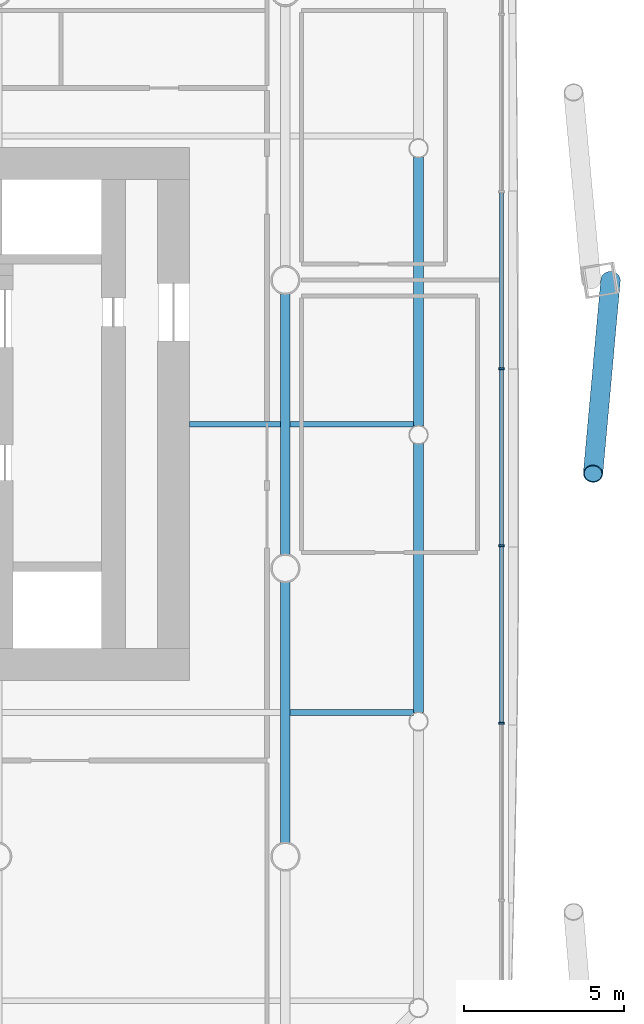
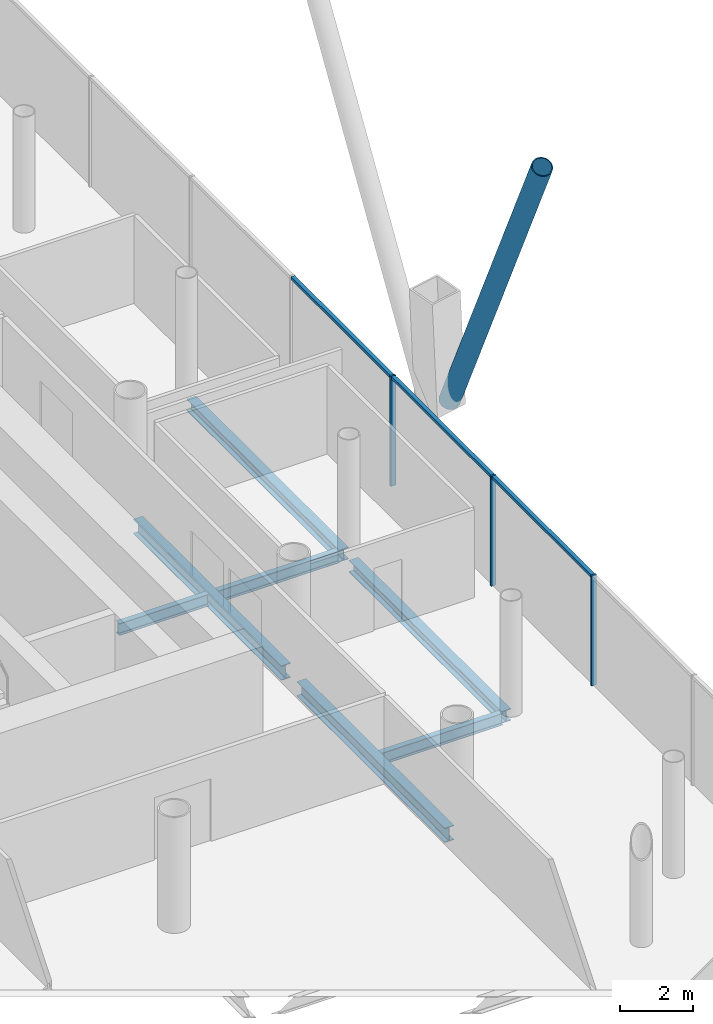
# One storey, part 8 of 25: 7 beams, 7 members, 1 element without a shape of its own.
"""IFC4 building model written with IfcOpenShell, lengths in metres."""

from ifc_helpers import new_model, si_unit, direction, frame, origin, origin_2d, place, context, subcontext, project, spatial, rectangle, hollow_circle, i_section, extrude, material, material_profile, profile_set, type_object, element, aggregate, save


model = new_model("IFC4")

# Units and contexts
model_context = context("Model", 3, precision=1e-05, world=origin(), true_north=direction((0.0, 1.0)))
body_context = subcontext(model_context, "Body", "Model", "MODEL_VIEW")
ifc_project = project(units=[si_unit("LENGTHUNIT", "METRE"), si_unit("AREAUNIT", "SQUARE_METRE"), si_unit("VOLUMEUNIT", "CUBIC_METRE"), si_unit("PLANEANGLEUNIT", "RADIAN"), si_unit("MASSUNIT", "GRAM", prefix="KILO")], contexts=[model_context])

# Site, building, storey
site_placement = place(None, origin())
site = spatial("IfcSite", under=ifc_project, at=site_placement, CompositionType="ELEMENT")
building_placement = place(site_placement, origin())
building = spatial("IfcBuilding", under=site, at=building_placement, Name="Tskaro Facet Tower", CompositionType="ELEMENT")
storey_placement = place(building_placement, frame((0.0, 0.0, 10.800048828125)))
storey = spatial("IfcBuildingStorey", under=building, at=storey_placement, Name="L01", CompositionType="ELEMENT", Elevation=10.800048828125)

# Member
ifc_material_1 = material(Name="Steel S355J2H", Category="steel")
ifc_material_profile_1 = material_profile(ifc_material_1, hollow_circle(Radius=0.304931640625, WallThickness=0.030029296875, at=origin_2d()), Name="CHS 610x30")
ifc_profile_set_1 = profile_set([ifc_material_profile_1], Name="Steel S355J2H")
member_type_1 = type_object("IfcMemberType", Name="CHS 610x30 brace", PredefinedType="BRACE", material=ifc_profile_set_1)
member_1_placement = place(storey_placement, frame((28.155029296875, 0.0, 0.0), z_axis=(-0.041564771349, -0.458620204365, 0.887659776001), x_axis=(0.995918225195, -0.090260117017, 0.0)))
element("IfcMember", 1, at=member_1_placement, inside=storey, type_object=member_type_1, Name="CHS 610x30 XB04B/1", PredefinedType="BRACE", context=body_context, shape_type="SweptSolid", body=[
    extrude(hollow_circle(Radius=0.304931640625, WallThickness=0.030029296875, at=origin_2d()), origin(), (0.0, 0.0, 1.0), 13.1806640625),
])

# Curtain wall, members
ifc_material_2 = material(Name="Bronze anodised aluminium 6063-T6", Category="aluminium")
curtain_wall_type = type_object("IfcCurtainWallType", Name="Bronze office curtain wall (FW1)", PredefinedType="NOTDEFINED", material=ifc_material_2)
curtain_wall_placement = place(storey_placement, origin())
curtain_wall = element("IfcCurtainWall", 2, at=curtain_wall_placement, inside=storey, type_object=curtain_wall_type, Name="FW1 east facet L01", PredefinedType="NOTDEFINED")
ifc_material_profile_2 = material_profile(ifc_material_2, rectangle(XDim=0.06005859375, YDim=0.159912109375, at=origin_2d()), Name="Mullion 60x160")
ifc_profile_set_2 = profile_set([ifc_material_profile_2], Name="Bronze anodised aluminium 6063-T6")
member_type_2 = type_object("IfcMemberType", Name="FW1 bronze mullion 60x160", PredefinedType="MULLION", material=ifc_profile_set_2)
member_2_placement = place(storey_placement, frame((24.75, -13.8310546875, 0.0), z_axis=(0.0, 0.0, 1.0), x_axis=(0.0, 1.0, 0.0)))
member_2 = element("IfcMember", 3, at=member_2_placement, type_object=member_type_2, Name="FW1 east mullion 2", PredefinedType="MULLION", context=body_context, shape_type="SweptSolid", body=[
    extrude(rectangle(XDim=0.06005859375, YDim=0.159912109375, at=origin_2d()), origin(), (0.0, 0.0, 1.0), 3.699951171875),
])
member_3_placement = place(storey_placement, frame((24.75, -8.298583984375, 0.0), z_axis=(0.0, 0.0, 1.0), x_axis=(0.0, 1.0, 0.0)))
member_3 = element("IfcMember", 4, at=member_3_placement, type_object=member_type_2, Name="FW1 east mullion 3", PredefinedType="MULLION", context=body_context, shape_type="SweptSolid", body=[
    extrude(rectangle(XDim=0.06005859375, YDim=0.159912109375, at=origin_2d()), origin(), (0.0, 0.0, 1.0), 3.699951171875),
])
member_4_placement = place(storey_placement, frame((24.75, -2.76611328125, 0.0), z_axis=(0.0, 0.0, 1.0), x_axis=(0.0, 1.0, 0.0)))
member_4 = element("IfcMember", 5, at=member_4_placement, type_object=member_type_2, Name="FW1 east mullion 4", PredefinedType="MULLION", context=body_context, shape_type="SweptSolid", body=[
    extrude(rectangle(XDim=0.06005859375, YDim=0.159912109375, at=origin_2d()), origin(), (0.0, 0.0, 1.0), 3.699951171875),
])
ifc_material_profile_3 = material_profile(ifc_material_2, rectangle(XDim=0.1201171875, YDim=0.10009765625, at=origin_2d()), Name="Transom 120x100")
ifc_profile_set_3 = profile_set([ifc_material_profile_3], Name="Bronze anodised aluminium 6063-T6")
member_type_3 = type_object("IfcMemberType", Name="FW1 bronze transom 120x100", PredefinedType="USERDEFINED", material=ifc_profile_set_3)
member_5_placement = place(storey_placement, frame((24.75, -13.801025390625, 3.64990234375), z_axis=(0.0, 1.0, 0.0), x_axis=(-1.0, 0.0, 0.0)))
member_5 = element("IfcMember", 6, at=member_5_placement, type_object=member_type_3, Name="FW1 east transom 3.1", ObjectType="TRANSOM", PredefinedType="USERDEFINED", context=body_context, shape_type="SweptSolid", body=[
    extrude(rectangle(XDim=0.1201171875, YDim=0.10009765625, at=origin_2d()), origin(), (0.0, 0.0, 1.0), 5.472412109375),
])
member_6_placement = place(storey_placement, frame((24.75, -8.2685546875, 3.64990234375), z_axis=(0.0, 1.0, 0.0), x_axis=(-1.0, 0.0, 0.0)))
member_6 = element("IfcMember", 7, at=member_6_placement, type_object=member_type_3, Name="FW1 east transom 4.1", ObjectType="TRANSOM", PredefinedType="USERDEFINED", context=body_context, shape_type="SweptSolid", body=[
    extrude(rectangle(XDim=0.1201171875, YDim=0.10009765625, at=origin_2d()), origin(), (0.0, 0.0, 1.0), 5.472412109375),
])
member_7_placement = place(storey_placement, frame((24.75, -2.736328125, 3.64990234375), z_axis=(0.0, 1.0, 0.0), x_axis=(-1.0, 0.0, 0.0)))
member_7 = element("IfcMember", 8, at=member_7_placement, type_object=member_type_3, Name="FW1 east transom 5.1", ObjectType="TRANSOM", PredefinedType="USERDEFINED", context=body_context, shape_type="SweptSolid", body=[
    extrude(rectangle(XDim=0.1201171875, YDim=0.10009765625, at=origin_2d()), origin(), (0.0, 0.0, 1.0), 5.47265625),
])
aggregate(curtain_wall, [member_2, member_3, member_4, member_5, member_6, member_7])

# Beams
ifc_material_3 = material(Name="Steel S355J2", Category="steel")
ifc_material_profile_4 = material_profile(ifc_material_3, i_section(OverallWidth=0.300048828125, OverallDepth=0.39990234375, WebThickness=0.013427734375, FlangeThickness=0.02392578125, FilletRadius=0.027099609375, at=origin_2d()), Name="HE 400 B")
ifc_profile_set_4 = profile_set([ifc_material_profile_4], Name="Steel S355J2")
beam_type_1 = type_object("IfcBeamType", Name="HE 400 B ring beam", PredefinedType="BEAM", material=ifc_profile_set_4)
beam_1_placement = place(storey_placement, frame((22.156982421875, -13.506103515625, -0.340087890625), z_axis=(0.0, 1.0, 0.0), x_axis=(-1.0, 0.0, 0.0)))
element("IfcBeam", 9, at=beam_1_placement, inside=storey, type_object=beam_type_1, Name="HE 400 B EB9-1", PredefinedType="BEAM", context=body_context, shape_type="SweptSolid", body=[
    extrude(i_section(OverallWidth=0.300048828125, OverallDepth=0.39990234375, WebThickness=0.013427734375, FlangeThickness=0.02392578125, FilletRadius=0.027099609375, at=origin_2d()), origin(), (0.0, 0.0, 1.0), 8.398193359375),
])
beam_2_placement = place(storey_placement, frame((22.156982421875, -4.55810546875, -0.340087890625), z_axis=(0.0, 1.0, 0.0), x_axis=(-1.0, 0.0, 0.0)))
element("IfcBeam", 10, at=beam_2_placement, inside=storey, type_object=beam_type_1, Name="HE 400 B EB10-1", PredefinedType="BEAM", context=body_context, shape_type="SweptSolid", body=[
    extrude(i_section(OverallWidth=0.300048828125, OverallDepth=0.39990234375, WebThickness=0.013427734375, FlangeThickness=0.02392578125, FilletRadius=0.027099609375, at=origin_2d()), origin(), (0.0, 0.0, 1.0), 8.399169921875),
])
ifc_material_profile_5 = material_profile(ifc_material_3, i_section(OverallWidth=0.300048828125, OverallDepth=0.489990234375, WebThickness=0.011962890625, FlangeThickness=0.02294921875, FilletRadius=0.027099609375, at=origin_2d()), Name="HE 500 A")
ifc_profile_set_5 = profile_set([ifc_material_profile_5], Name="Steel S355J2")
beam_type_2 = type_object("IfcBeamType", Name="HE 500 A girder", PredefinedType="BEAM", material=ifc_profile_set_5)
for number, where, z_axis, x_axis, name in (
    (11, (18.0, -17.57275390625, -0.385009765625), (0.0, 1.0, 0.0), (-1.0, 0.0, 0.0), "HE 500 A GB6-2-1"),
    (12, (18.0, -8.57275390625, -0.385009765625), (0.0, 1.0, 0.0), (-1.0, 0.0, 0.0), "HE 500 A GB6-3-1"),
):
    element("IfcBeam", number, at=place(storey_placement, frame(where, z_axis=z_axis, x_axis=x_axis)), inside=storey, type_object=beam_type_2, Name=name, PredefinedType="BEAM", context=body_context, shape_type="SweptSolid", body=[
        extrude(i_section(OverallWidth=0.300048828125, OverallDepth=0.489990234375, WebThickness=0.011962890625, FlangeThickness=0.02294921875, FilletRadius=0.027099609375, at=origin_2d()), origin(), (0.0, 0.0, 1.0), 8.1455078125),
    ])
ifc_material_profile_6 = material_profile(ifc_material_3, i_section(OverallWidth=0.179931640625, OverallDepth=0.39990234375, WebThickness=0.008544921875, FlangeThickness=0.013427734375, FilletRadius=0.02099609375, at=origin_2d()), Name="IPE 400")
ifc_profile_set_6 = profile_set([ifc_material_profile_6], Name="Steel S355J2")
beam_type_3 = type_object("IfcBeamType", Name="IPE 400 secondary beam", PredefinedType="BEAM", material=ifc_profile_set_6)
beam_3_placement = place(storey_placement, frame((18.14990234375, -13.5, -0.340087890625), z_axis=(1.0, 0.0, 0.0), x_axis=(0.0, 1.0, 0.0)))
element("IfcBeam", 13, at=beam_3_placement, inside=storey, type_object=beam_type_3, Name="IPE 400 SB2a-6-1", PredefinedType="BEAM", context=body_context, shape_type="SweptSolid", body=[
    extrude(i_section(OverallWidth=0.179931640625, OverallDepth=0.39990234375, WebThickness=0.008544921875, FlangeThickness=0.013427734375, FilletRadius=0.02099609375, at=origin_2d()), origin(), (0.0, 0.0, 1.0), 3.857177734375),
])
beam_4_placement = place(storey_placement, frame((15.0, -4.5, -0.340087890625), z_axis=(1.0, 0.0, 0.0), x_axis=(0.0, 1.0, 0.0)))
element("IfcBeam", 14, at=beam_4_placement, inside=storey, type_object=beam_type_3, Name="IPE 400 SB3a-3-1", PredefinedType="BEAM", context=body_context, shape_type="SweptSolid", body=[
    extrude(i_section(OverallWidth=0.179931640625, OverallDepth=0.39990234375, WebThickness=0.008544921875, FlangeThickness=0.013427734375, FilletRadius=0.02099609375, at=origin_2d()), origin(), (0.0, 0.0, 1.0), 2.85009765625),
])
beam_5_placement = place(storey_placement, frame((18.14990234375, -4.5, -0.340087890625), z_axis=(1.0, 0.0, 0.0), x_axis=(0.0, 1.0, 0.0)))
element("IfcBeam", 15, at=beam_5_placement, inside=storey, type_object=beam_type_3, Name="IPE 400 SB3a-4-1", PredefinedType="BEAM", context=body_context, shape_type="SweptSolid", body=[
    extrude(i_section(OverallWidth=0.179931640625, OverallDepth=0.39990234375, WebThickness=0.008544921875, FlangeThickness=0.013427734375, FilletRadius=0.02099609375, at=origin_2d()), origin(), (0.0, 0.0, 1.0), 3.857177734375),
])

save(model, "model.ifc")
